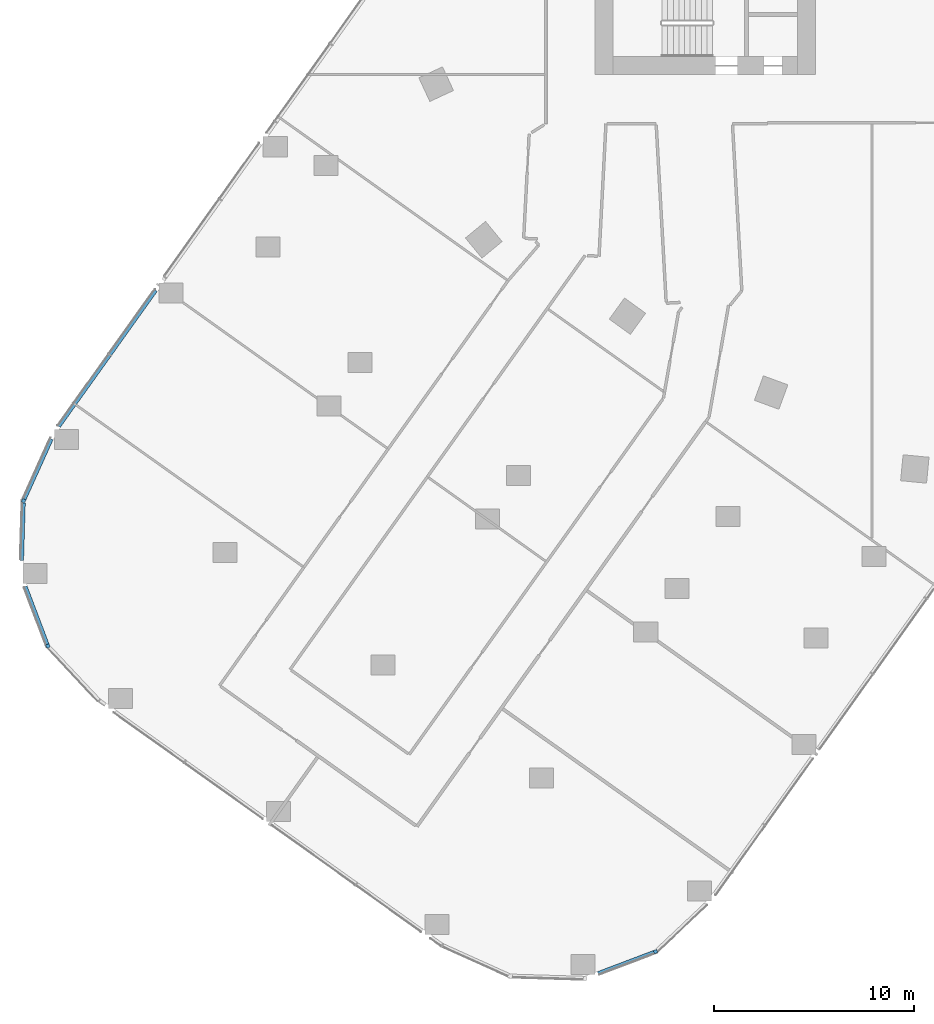
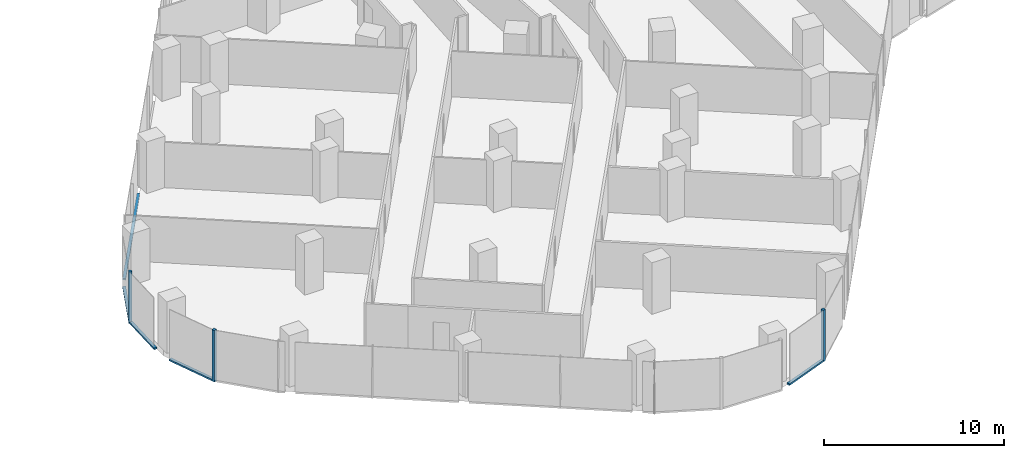
# One storey, part 3 of 31: 8 members, 5 elements without a shape of their own.
"""IFC4 building model written with IfcOpenShell, lengths in metres."""

from ifc_helpers import new_model, si_unit, direction, frame, origin, origin_2d, place, context, subcontext, project, spatial, rectangle, extrude, material, material_profile, profile_set, type_object, element, aggregate, save


model = new_model("IFC4")

# Units and contexts
model_context = context("Model", 3, precision=1e-05, world=origin(), true_north=direction((0.0, 1.0)))
body_context = subcontext(model_context, "Body", "Model", "MODEL_VIEW")
ifc_project = project(units=[si_unit("LENGTHUNIT", "METRE"), si_unit("AREAUNIT", "SQUARE_METRE"), si_unit("VOLUMEUNIT", "CUBIC_METRE"), si_unit("PLANEANGLEUNIT", "RADIAN"), si_unit("MASSUNIT", "GRAM", prefix="KILO")], contexts=[model_context])

# Site, building, storey
site_placement = place(None, origin())
site = spatial("IfcSite", under=ifc_project, at=site_placement, CompositionType="ELEMENT")
building_placement = place(site_placement, origin())
building = spatial("IfcBuilding", under=site, at=building_placement, Name="Orlundy Tower", CompositionType="ELEMENT")
storey_placement = place(building_placement, frame((0.0, 0.0, 84.199951171875)))
storey = spatial("IfcBuildingStorey", under=building, at=storey_placement, Name="L20", CompositionType="ELEMENT", Elevation=84.199951171875)

# Curtain wall, member
ifc_material_1 = material(Name="Aluminium bronze anodised", Category="aluminium")
curtain_wall_type = type_object("IfcCurtainWallType", Name="CW1 wall", PredefinedType="NOTDEFINED", material=ifc_material_1)
curtain_wall_1_placement = place(storey_placement, origin())
curtain_wall_1 = element("IfcCurtainWall", 1, at=curtain_wall_1_placement, inside=storey, type_object=curtain_wall_type, Name="CW1 run 020", PredefinedType="NOTDEFINED")
ifc_material_2 = material(Name="Aluminium bronze anodised", Category="aluminium")
ifc_material_profile_1 = material_profile(ifc_material_2, rectangle(XDim=0.179931640625, YDim=0.179931640625, at=origin_2d()), Name="CW1 corner post 180x180")
ifc_profile_set_1 = profile_set([ifc_material_profile_1], Name="Aluminium bronze anodised")
member_type_1 = type_object("IfcMemberType", Name="CW1 corner post 180x180", PredefinedType="MULLION", material=ifc_profile_set_1)
member_1_placement = place(storey_placement, frame((-15.984375, -55.751708984375, -0.39990234375), z_axis=(0.0, 0.0, 1.0), x_axis=(0.354166301715, -0.935182458523, 0.0)))
member_1 = element("IfcMember", 2, at=member_1_placement, type_object=member_type_1, Name="CW1 mullion 58", PredefinedType="MULLION", context=body_context, shape_type="SweptSolid", body=[
    extrude(rectangle(XDim=0.179931640625, YDim=0.179931640625, at=origin_2d()), origin(), (0.0, 0.0, 1.0), 3.5),
])

curtain_wall_2_placement = place(storey_placement, origin())
curtain_wall_2 = element("IfcCurtainWall", 3, at=curtain_wall_2_placement, inside=storey, type_object=curtain_wall_type, Name="CW1 run 025", PredefinedType="NOTDEFINED")
member_2_placement = place(storey_placement, frame((-46.298828125, -40.505615234375, -0.39990234375), z_axis=(0.0, 0.0, 1.0), x_axis=(-0.935182458523, -0.354166301715, 0.0)))
member_2 = element("IfcMember", 4, at=member_2_placement, type_object=member_type_1, Name="CW1 mullion 66", PredefinedType="MULLION", context=body_context, shape_type="SweptSolid", body=[
    extrude(rectangle(XDim=0.179931640625, YDim=0.179931640625, at=origin_2d()), origin(), (0.0, 0.0, 1.0), 3.5),
])

curtain_wall_3_placement = place(storey_placement, origin())
curtain_wall_3 = element("IfcCurtainWall", 5, at=curtain_wall_3_placement, inside=storey, type_object=curtain_wall_type, Name="CW1 run 027", PredefinedType="NOTDEFINED")
member_3_placement = place(storey_placement, frame((-47.510498046875, -33.264404296875, -0.39990234375), z_axis=(0.0, 0.0, 1.0), x_axis=(-0.911673970719, 0.410914311157, 0.0)))
member_3 = element("IfcMember", 6, at=member_3_placement, type_object=member_type_1, Name="CW1 mullion 68", PredefinedType="MULLION", context=body_context, shape_type="SweptSolid", body=[
    extrude(rectangle(XDim=0.179931640625, YDim=0.179931640625, at=origin_2d()), origin(), (0.0, 0.0, 1.0), 3.5),
])

curtain_wall_4_placement = place(storey_placement, origin())
curtain_wall_4 = element("IfcCurtainWall", 7, at=curtain_wall_4_placement, inside=storey, type_object=curtain_wall_type, Name="CW1 run 00", PredefinedType="NOTDEFINED")
ifc_material_3 = material(Name="Aluminium bronze anodised", Category="aluminium")
ifc_material_profile_2 = material_profile(ifc_material_3, rectangle(XDim=0.179931640625, YDim=0.1201171875, at=origin_2d()), Name="CW1 transom 180x120")
ifc_profile_set_2 = profile_set([ifc_material_profile_2], Name="Aluminium bronze anodised")
member_type_2 = type_object("IfcMemberType", Name="CW1 transom 180x120", PredefinedType="USERDEFINED", material=ifc_profile_set_2)
member_4_placement = place(storey_placement, frame((-45.754638671875, -29.550048828125, -0.33984375), z_axis=(0.580695047202, 0.814121159383, 0.0), x_axis=(-0.814121159383, 0.580695047202, 0.0)))
member_4 = element("IfcMember", 8, at=member_4_placement, type_object=member_type_2, Name="CW1 transom", ObjectType="TRANSOM", PredefinedType="USERDEFINED", context=body_context, shape_type="SweptSolid", body=[
    extrude(rectangle(XDim=0.179931640625, YDim=0.1201171875, at=origin_2d()), origin(), (0.0, 0.0, 1.0), 8.3359375),
])
aggregate(curtain_wall_4, [member_4])

# Member
member_5_placement = place(storey_placement, frame((-16.068603515625, -55.78369140625, -0.33984375), z_axis=(-0.935187055294, -0.354154163621, 0.0), x_axis=(0.354154163621, -0.935187055294, 0.0)))
member_5 = element("IfcMember", 9, at=member_5_placement, type_object=member_type_2, Name="CW1 transom", ObjectType="TRANSOM", PredefinedType="USERDEFINED", context=body_context, shape_type="SweptSolid", body=[
    extrude(rectangle(XDim=0.179931640625, YDim=0.1201171875, at=origin_2d()), origin(), (0.0, 0.0, 1.0), 2.97314453125),
])

aggregate(curtain_wall_1, [member_1, member_5])

member_6_placement = place(storey_placement, frame((-46.330810546875, -40.42138671875, -0.33984375), z_axis=(-0.354161942738, 0.935184109315, 0.0), x_axis=(-0.935184109315, -0.354161942738, 0.0)))
member_6 = element("IfcMember", 10, at=member_6_placement, type_object=member_type_2, Name="CW1 transom", ObjectType="TRANSOM", PredefinedType="USERDEFINED", context=body_context, shape_type="SweptSolid", body=[
    extrude(rectangle(XDim=0.179931640625, YDim=0.1201171875, at=origin_2d()), origin(), (0.0, 0.0, 1.0), 3.080078125),
])

aggregate(curtain_wall_2, [member_2, member_6])

# Curtain wall, member
curtain_wall_5_placement = place(storey_placement, origin())
curtain_wall_5 = element("IfcCurtainWall", 11, at=curtain_wall_5_placement, inside=storey, type_object=curtain_wall_type, Name="CW1 run 026", PredefinedType="NOTDEFINED")
member_7_placement = place(storey_placement, frame((-47.601318359375, -36.240966796875, -0.33984375), z_axis=(0.030512370061, 0.99953438924, 0.0), x_axis=(-0.99953438924, 0.030512370061, 0.0)))
member_7 = element("IfcMember", 12, at=member_7_placement, type_object=member_type_2, Name="CW1 transom", ObjectType="TRANSOM", PredefinedType="USERDEFINED", context=body_context, shape_type="SweptSolid", body=[
    extrude(rectangle(XDim=0.179931640625, YDim=0.1201171875, at=origin_2d()), origin(), (0.0, 0.0, 1.0), 2.88037109375),
])
aggregate(curtain_wall_5, [member_7])

# Member
member_8_placement = place(storey_placement, frame((-47.473388671875, -33.182373046875, -0.33984375), z_axis=(0.4108611797, 0.911697916536, 0.0), x_axis=(-0.911697916536, 0.4108611797, 0.0)))
member_8 = element("IfcMember", 13, at=member_8_placement, type_object=member_type_2, Name="CW1 transom", ObjectType="TRANSOM", PredefinedType="USERDEFINED", context=body_context, shape_type="SweptSolid", body=[
    extrude(rectangle(XDim=0.179931640625, YDim=0.1201171875, at=origin_2d()), origin(), (0.0, 0.0, 1.0), 3.291259765625),
])

aggregate(curtain_wall_3, [member_3, member_8])

save(model, "model.ifc")
